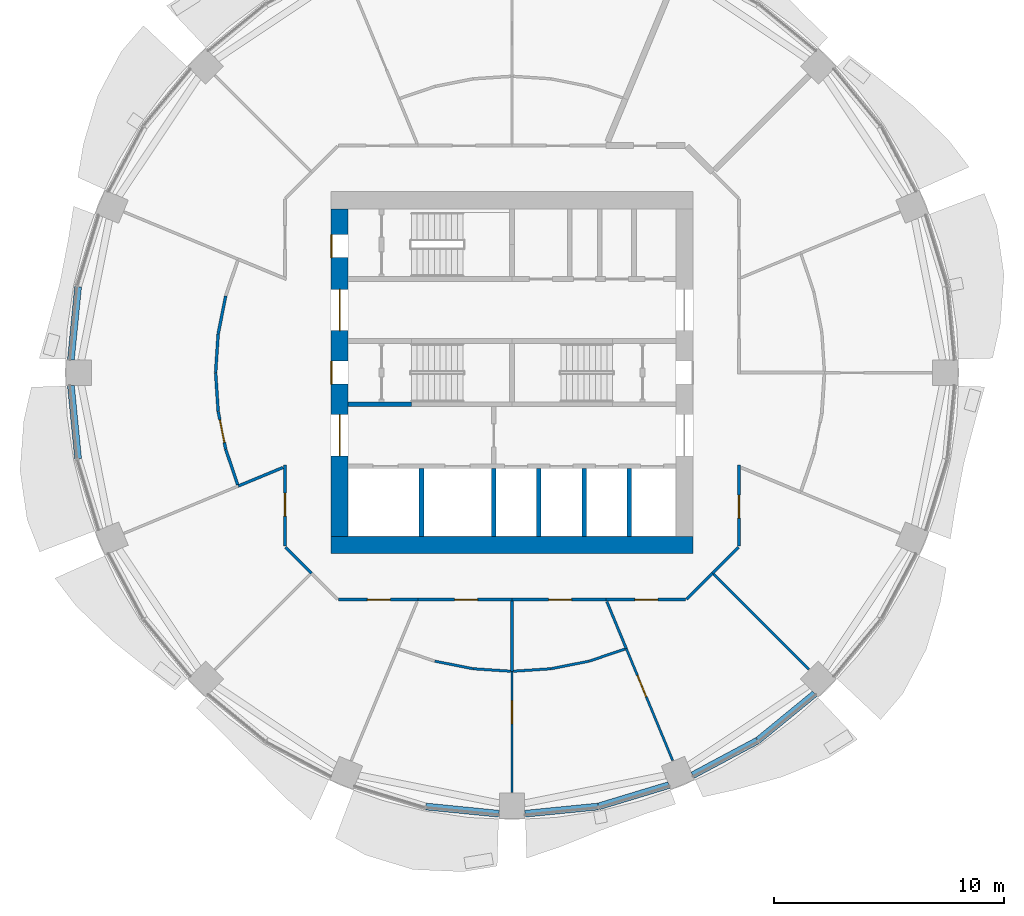
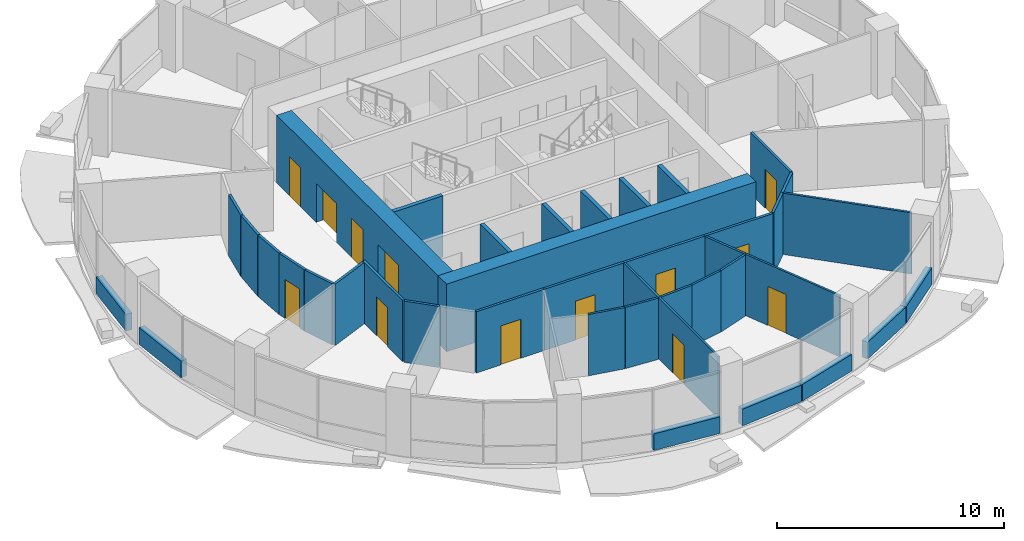
# One storey, part 8 of 15: 40 walls, 13 doors, 13 openings.
"""IFC4 building model written with IfcOpenShell, lengths in metres."""

import ifcopenshell
import ifcopenshell.guid

model = None  # the IFC model being written
_history = None  # IfcOwnerHistory: only IFC2X3 demands one
_inside = {}  # id of a spatial element -> (the spatial element, [elements in it])
_under = {}  # id of a project, library or spatial element -> (it, [spatial elements below it])
_declared = {}  # id of a project -> (the project, [libraries it declares])
_typed = {}  # id of a type object -> (the type object, [elements of that type])
_made_of = {}  # id of a material, layer set ... -> (it, [elements and type objects made of it])


def new_model(schema):
    """Start an empty IFC model of exactly this schema.

    Asked for "IFC4X3", IfcOpenShell would pick the latest addendum, in which some entities
    have other attributes; the version numbers below select the first issue.
    IFC2X3 requires an IfcOwnerHistory on every rooted entity: one is made here for all.
    """
    global model, _history
    if schema == "IFC4X3":
        model = ifcopenshell.file(schema_version=(4, 3, 0, 0))
    else:
        model = ifcopenshell.file(schema=schema)
    _inside.clear()
    _under.clear()
    _declared.clear()
    _typed.clear()
    _made_of.clear()
    _history = None
    if model.schema == "IFC2X3":
        org = make("IfcOrganization", Name="unknown")
        user = make(
            "IfcPersonAndOrganization",
            ThePerson=make("IfcPerson", FamilyName="unknown"),
            TheOrganization=org,
        )
        app = make(
            "IfcApplication",
            ApplicationDeveloper=org,
            Version="unknown",
            ApplicationFullName="unknown",
            ApplicationIdentifier="unknown",
        )
        _history = make(
            "IfcOwnerHistory",
            OwningUser=user,
            OwningApplication=app,
            ChangeAction="ADDED",
            CreationDate=0,
        )
    return model


def make(cls, **values):
    """One entity of the class cls with the attributes given. An attribute that is None is left unset."""
    return model.create_entity(
        cls, **{name: value for name, value in values.items() if value is not None}
    )


def rooted(cls, **values):
    """An entity with a GlobalId (a new one), such as an element, a storey or a relation."""
    return make(cls, GlobalId=ifcopenshell.guid.new(), OwnerHistory=_history, **values)


def si_unit(unit_type, name, prefix=None):
    """IfcSIUnit, for example si_unit("LENGTHUNIT", "METRE", prefix="MILLI")."""
    return make("IfcSIUnit", UnitType=unit_type, Prefix=prefix, Name=name)


def assignment(units):
    """IfcUnitAssignment: the units of a project."""
    return None if units is None else make("IfcUnitAssignment", Units=units)


def point(xyz):
    """IfcCartesianPoint."""
    return None if xyz is None else make("IfcCartesianPoint", Coordinates=xyz)


def direction(xyz):
    """IfcDirection."""
    return None if xyz is None else make("IfcDirection", DirectionRatios=xyz)


def frame(location, z_axis=None, x_axis=None):
    """IfcAxis2Placement3D, a coordinate frame: its origin and axes. An axis left out is left unset."""
    return make(
        "IfcAxis2Placement3D",
        Location=point(location),
        Axis=direction(z_axis),
        RefDirection=direction(x_axis),
    )


def frame_2d(location, x_axis=None):
    """IfcAxis2Placement2D, a coordinate frame in the plane: its origin and x axis."""
    return make(
        "IfcAxis2Placement2D", Location=point(location), RefDirection=direction(x_axis)
    )


def origin():
    """The frame at (0, 0, 0) with its axes left unset."""
    return frame((0.0, 0.0, 0.0))


def place(relative_to, where):
    """IfcLocalPlacement: puts the frame where relative to a parent placement (None: the world)."""
    return make(
        "IfcLocalPlacement", PlacementRelTo=relative_to, RelativePlacement=where
    )


def context(
    kind, dimensions, precision=None, world=None, true_north=None, identifier=None
):
    """IfcGeometricRepresentationContext, for example the 3D "Model" context."""
    return make(
        "IfcGeometricRepresentationContext",
        ContextIdentifier=identifier,
        ContextType=kind,
        CoordinateSpaceDimension=dimensions,
        Precision=precision,
        WorldCoordinateSystem=world,
        TrueNorth=true_north,
    )


def subcontext(parent, identifier, kind, view, scale=None):
    """IfcGeometricRepresentationSubContext, for example "Body" below "Model"."""
    return make(
        "IfcGeometricRepresentationSubContext",
        ContextIdentifier=identifier,
        ContextType=kind,
        ParentContext=parent,
        TargetScale=scale,
        TargetView=view,
    )


def project(units=None, contexts=None):
    """IfcProject with its units and contexts."""
    return rooted(
        "IfcProject",
        Name="project",
        RepresentationContexts=contexts,
        UnitsInContext=assignment(units),
    )


def spatial(cls, under=None, at=None, **own):
    """A site, building, storey or space (cls), placed at a placement, below another one or the project."""
    s = rooted(cls, ObjectPlacement=at, **own)
    if under is not None:
        _under.setdefault(under.id(), (under, []))[1].append(s)
    return s


def profile(cls, at=None, kind="AREA", **sizes):
    """A parametric profile (cls). Its sizes go by their IFC names, for example OverallWidth=200.0."""
    return make(cls, ProfileType=kind, Position=at, **sizes)


def rectangle(**sizes):
    """IfcRectangleProfileDef."""
    return profile("IfcRectangleProfileDef", **sizes)


def extrude(swept, where, along, depth):
    """IfcExtrudedAreaSolid: the profile swept, set in the frame where, extruded along a direction by depth."""
    return make(
        "IfcExtrudedAreaSolid",
        SweptArea=swept,
        Position=where,
        ExtrudedDirection=direction(along),
        Depth=depth,
    )


def shape(context_of_items, identifier, shape_type, items):
    """IfcShapeRepresentation: the items that make up one representation, for example the "Body"."""
    return make(
        "IfcShapeRepresentation",
        ContextOfItems=context_of_items,
        RepresentationIdentifier=identifier,
        RepresentationType=shape_type,
        Items=items,
    )


def material(Name=None, Category=None):
    """IfcMaterial."""
    return make("IfcMaterial", Name=Name, Category=Category)


def layer(
    of_material, thickness, ventilated=None, Name=None, Category=None, Priority=None
):
    """IfcMaterialLayer: one layer of a wall or slab, of a material (None: an air gap)."""
    return make(
        "IfcMaterialLayer",
        Material=of_material,
        LayerThickness=thickness,
        IsVentilated=ventilated,
        Name=Name,
        Category=Category,
        Priority=Priority,
    )


def layer_set(layers, Name=None):
    """IfcMaterialLayerSet."""
    return make("IfcMaterialLayerSet", MaterialLayers=layers, LayerSetName=Name)


def made_of(thing, what):
    """Note that an element or type object is made of a material, layer set ...; save() writes the relation."""
    if what is not None:
        _made_of.setdefault(what.id(), (what, []))[1].append(thing)
    return thing


def type_object(cls, material=None, **own):
    """A type object (cls), such as IfcWallType, which elements share."""
    return made_of(rooted(cls, **own), material)


def element(
    cls,
    number,
    at=None,
    inside=None,
    cuts=None,
    type_object=None,
    material=None,
    context=None,
    identifier="Body",
    shape_type=None,
    held_by="IfcProductDefinitionShape",
    body=None,
    shapes=None,
    **own,
):
    """One element of the class cls, such as IfcWall. Its Tag is "e" and its number.

    at: its placement. inside: the storey or other place that contains it. cuts: it is an
    opening in that element (IfcRelVoidsElement). A single representation is given by context,
    identifier, shape_type and body (its items); several are given by shapes. held_by: the class
    of the entity that holds the representations. save() writes the other relations.
    """
    e = rooted(cls, Tag="e%d" % number, ObjectPlacement=at, **own)
    if body is not None:
        shapes = [shape(context, identifier, shape_type, body)]
    if shapes is not None:
        e.Representation = make(held_by, Representations=shapes)
    if inside is not None:
        _inside.setdefault(inside.id(), (inside, []))[1].append(e)
    if cuts is not None:
        rooted(
            "IfcRelVoidsElement", RelatingBuildingElement=cuts, RelatedOpeningElement=e
        )
    if type_object is not None:
        _typed.setdefault(type_object.id(), (type_object, []))[1].append(e)
    return made_of(e, material)


def fill(opening, filler):
    """IfcRelFillsElement: the door or window that sits in an opening."""
    return rooted(
        "IfcRelFillsElement",
        RelatingOpeningElement=opening,
        RelatedBuildingElement=filler,
    )


def aggregate(whole, parts):
    """IfcRelAggregates: a whole, such as a stair, and the parts it consists of."""
    return rooted("IfcRelAggregates", RelatingObject=whole, RelatedObjects=parts)


def save(model, path):
    """Write the relations noted so far, then the file.

    IfcRelAggregates (storeys below a building ...), IfcRelContainedInSpatialStructure (elements
    in a storey), IfcRelDefinesByType, IfcRelAssociatesMaterial and IfcRelDeclares: one each for
    every whole, place, type object, material and project.
    """
    for whole, parts in _under.values():
        aggregate(whole, parts)
    for where, things in _inside.values():
        rooted(
            "IfcRelContainedInSpatialStructure",
            RelatedElements=things,
            RelatingStructure=where,
        )
    for kind, things in _typed.values():
        rooted("IfcRelDefinesByType", RelatedObjects=things, RelatingType=kind)
    for what, things in _made_of.values():
        rooted("IfcRelAssociatesMaterial", RelatedObjects=things, RelatingMaterial=what)
    for by, libraries in _declared.values():
        rooted("IfcRelDeclares", RelatingContext=by, RelatedDefinitions=libraries)
    model.write(path)


model = new_model("IFC4")

# Units and contexts
model_context = context("Model", 3, precision=1e-05, world=origin(), true_north=direction((0.0, 1.0)))
body_context = subcontext(model_context, "Body", "Model", "MODEL_VIEW")
ifc_project = project(units=[si_unit("LENGTHUNIT", "METRE"), si_unit("AREAUNIT", "SQUARE_METRE"), si_unit("VOLUMEUNIT", "CUBIC_METRE"), si_unit("PLANEANGLEUNIT", "RADIAN"), si_unit("MASSUNIT", "GRAM", prefix="KILO")], contexts=[model_context])

# Site, building, storey
site_placement = place(None, origin())
site = spatial("IfcSite", under=ifc_project, at=site_placement, CompositionType="ELEMENT")
building_placement = place(site_placement, origin())
building = spatial("IfcBuilding", under=site, at=building_placement, Name="Polderwave Tower", CompositionType="ELEMENT")
storey_placement = place(building_placement, frame((0.0, 0.0, 80.050048828125)))
storey = spatial("IfcBuildingStorey", under=building, at=storey_placement, Name="L20", CompositionType="ELEMENT", Elevation=80.050048828125)

# Wall
ifc_material_1 = material(Name="Concrete C70/85", Category="concrete")
ifc_layer_1 = layer(ifc_material_1, 0.75)
ifc_layer_set_1 = layer_set([ifc_layer_1], Name="CORE WALL 750 C70/85")
wall_type_1 = type_object("IfcWallType", Name="CORE WALL 750 C70/85", PredefinedType="SHEAR", material=ifc_layer_set_1)
wall_1_placement = place(storey_placement, frame((-7.8740234375, -7.4990234375, 0.0), z_axis=(0.0, 0.0, 1.0), x_axis=(1.0, 0.0, 0.0)))
element("IfcWall", 1, at=wall_1_placement, inside=storey, type_object=wall_type_1, Name="ST-CORE-L20-S", PredefinedType="SHEAR", context=body_context, shape_type="SweptSolid", body=[
    extrude(rectangle(XDim=15.748046875, YDim=0.75, at=frame_2d((7.8740234375, 0.0))), origin(), (0.0, 0.0, 1.0), 3.64990234375),
])

# Wall, openings, doors
wall_2_placement = place(storey_placement, frame((-7.4990234375, -7.1240234375, 0.0), z_axis=(0.0, 0.0, 1.0), x_axis=(0.0, 1.0, 0.0)))
wall_2 = element("IfcWall", 2, at=wall_2_placement, inside=storey, type_object=wall_type_1, Name="ST-CORE-L20-W", PredefinedType="SHEAR", context=body_context, shape_type="SweptSolid", body=[
    extrude(rectangle(XDim=14.248046875, YDim=0.75, at=frame_2d((7.1240234375, 0.0))), origin(), (0.0, 0.0, 1.0), 3.64990234375),
])
opening_1_placement = place(wall_2_placement, frame((6.6240234375, 0.0, 0.0)))
opening_1 = element("IfcOpeningElement", 3, at=opening_1_placement, cuts=wall_2, Name="Opening L20-D18", PredefinedType="OPENING", context=body_context, shape_type="SweptSolid", body=[
    extrude(rectangle(XDim=1.0, YDim=2.10009765625, at=frame_2d((0.5, 1.050048828125))), frame((0.0, 0.385009765625, 0.0), z_axis=(0.0, -1.0, 0.0), x_axis=(1.0, 0.0, 0.0)), (0.0, 0.0, 1.0), 0.77001953125),
])
opening_2_placement = place(wall_2_placement, frame((3.49951171875, 0.0, 0.0)))
opening_2 = element("IfcOpeningElement", 4, at=opening_2_placement, cuts=wall_2, Name="Opening L20-D19", PredefinedType="OPENING", context=body_context, shape_type="SweptSolid", body=[
    extrude(rectangle(XDim=1.800048828125, YDim=2.10009765625, at=frame_2d((0.89990234375, 1.050048828125))), frame((0.0, 0.385009765625, 0.0), z_axis=(0.0, -1.0, 0.0), x_axis=(1.0, 0.0, 0.0)), (0.0, 0.0, 1.0), 0.77001953125),
])
opening_3_placement = place(wall_2_placement, frame((8.948486328125, 0.0, 0.0)))
opening_3 = element("IfcOpeningElement", 5, at=opening_3_placement, cuts=wall_2, Name="Opening L20-D20", PredefinedType="OPENING", context=body_context, shape_type="SweptSolid", body=[
    extrude(rectangle(XDim=1.800048828125, YDim=2.10009765625, at=frame_2d((0.89990234375, 1.050048828125))), frame((0.0, 0.385009765625, 0.0), z_axis=(0.0, -1.0, 0.0), x_axis=(1.0, 0.0, 0.0)), (0.0, 0.0, 1.0), 0.77001953125),
])
opening_4_placement = place(wall_2_placement, frame((12.1240234375, 0.0, 0.0)))
opening_4 = element("IfcOpeningElement", 6, at=opening_4_placement, cuts=wall_2, Name="Opening L20-D21", PredefinedType="OPENING", context=body_context, shape_type="SweptSolid", body=[
    extrude(rectangle(XDim=1.0, YDim=2.10009765625, at=frame_2d((0.5, 1.050048828125))), frame((0.0, 0.385009765625, 0.0), z_axis=(0.0, -1.0, 0.0), x_axis=(1.0, 0.0, 0.0)), (0.0, 0.0, 1.0), 0.77001953125),
])
ifc_material_2 = material(Name="Steel fire door", Category="steel")
door_type_1 = type_object("IfcDoorType", Name="Lobby entry door pair 1800", OperationType="DOUBLE_DOOR_SINGLE_SWING", PredefinedType="DOOR", material=ifc_material_2)
door_1_placement = place(opening_2_placement, origin())
door_1 = element("IfcDoor", 7, at=door_1_placement, inside=storey, type_object=door_type_1, Name="Fire-fighting lobby entry door", OperationType="DOUBLE_DOOR_SINGLE_SWING", OverallHeight=2.10009765625, OverallWidth=1.800048828125, PredefinedType="DOOR", context=body_context, shape_type="SweptSolid", body=[
    extrude(rectangle(XDim=1.800048828125, YDim=2.10009765625, at=frame_2d((0.89990234375, 1.050048828125))), frame((0.0, 0.02490234375, 0.0), z_axis=(0.0, -1.0, 0.0), x_axis=(1.0, 0.0, 0.0)), (0.0, 0.0, 1.0), 0.050048828125),
])
fill(opening_2, door_1)
door_2_placement = place(opening_3_placement, origin())
door_2 = element("IfcDoor", 8, at=door_2_placement, inside=storey, type_object=door_type_1, Name="North lobby entry door", OperationType="DOUBLE_DOOR_SINGLE_SWING", OverallHeight=2.10009765625, OverallWidth=1.800048828125, PredefinedType="DOOR", context=body_context, shape_type="SweptSolid", body=[
    extrude(rectangle(XDim=1.800048828125, YDim=2.10009765625, at=frame_2d((0.89990234375, 1.050048828125))), frame((0.0, 0.02490234375, 0.0), z_axis=(0.0, -1.0, 0.0), x_axis=(1.0, 0.0, 0.0)), (0.0, 0.0, 1.0), 0.050048828125),
])
fill(opening_3, door_2)
door_type_2 = type_object("IfcDoorType", Name="Stair door 1000", OperationType="NOTDEFINED", PredefinedType="DOOR", material=ifc_material_2)
door_3_placement = place(opening_1_placement, origin())
door_3 = element("IfcDoor", 9, at=door_3_placement, inside=storey, type_object=door_type_2, Name="Stair A entry door", OperationType="SINGLE_SWING_RIGHT", OverallHeight=2.10009765625, OverallWidth=1.0, PredefinedType="DOOR", context=body_context, shape_type="SweptSolid", body=[
    extrude(rectangle(XDim=1.0, YDim=2.10009765625, at=frame_2d((0.5, 1.050048828125))), frame((0.0, 0.375, 0.0), z_axis=(0.0, -1.0, 0.0), x_axis=(1.0, 0.0, 0.0)), (0.0, 0.0, 1.0), 0.050048828125),
])
fill(opening_1, door_3)
door_4_placement = place(opening_4_placement, origin())
door_4 = element("IfcDoor", 10, at=door_4_placement, inside=storey, type_object=door_type_2, Name="Stair C entry door", OperationType="SINGLE_SWING_RIGHT", OverallHeight=2.10009765625, OverallWidth=1.0, PredefinedType="DOOR", context=body_context, shape_type="SweptSolid", body=[
    extrude(rectangle(XDim=1.0, YDim=2.10009765625, at=frame_2d((0.5, 1.050048828125))), frame((0.0, 0.375, 0.0), z_axis=(0.0, -1.0, 0.0), x_axis=(1.0, 0.0, 0.0)), (0.0, 0.0, 1.0), 0.050048828125),
])
fill(opening_4, door_4)

# Walls
ifc_material_3 = material(Name="Concrete C50/60 (board-marked)", Category="concrete")
ifc_layer_2 = layer(ifc_material_3, 0.300048828125)
ifc_layer_set_2 = layer_set([ifc_layer_2], Name="Concrete spandrel upstand C50/60")
wall_type_2 = type_object("IfcWallType", Name="Concrete spandrel upstand C50/60", PredefinedType="SOLIDWALL", material=ifc_layer_set_2)
for number, where, z_axis, x_axis, name in (
    (11, (-18.87158203125, 3.738037109375, 0.0), (0.0, 0.0, 1.0), (-0.098131861065, -0.995173420989, 0.0), "Spandrel L20 8b"),
    (12, (-19.1845703125, -0.56396484375, 0.0), (0.0, 0.0, 1.0), (0.098131861065, -0.995173420989, 0.0), "Spandrel L20 9a"),
    (13, (-3.738037109375, -18.87158203125, 0.0), (0.0, 0.0, 1.0), (0.995173420989, -0.098131861065, 0.0), "Spandrel L20 12b"),
    (14, (0.56396484375, -19.1845703125, 0.0), (0.0, 0.0, 1.0), (0.995173420989, 0.098131861065, 0.0), "Spandrel L20 13a"),
):
    element("IfcWall", number, at=place(storey_placement, frame(where, z_axis=z_axis, x_axis=x_axis)), inside=storey, type_object=wall_type_2, Name=name, PredefinedType="SOLIDWALL", context=body_context, shape_type="SweptSolid", body=[
        extrude(rectangle(XDim=3.189453125, YDim=0.300048828125, at=frame_2d((1.5947265625, 0.0))), origin(), (0.0, 0.0, 1.0), 0.89990234375),
    ])
wall_3_placement = place(storey_placement, frame((3.767333984375, -18.865478515625, 0.0), z_axis=(0.0, 0.0, 1.0), x_axis=(0.956954228099, 0.290238876314, 0.0)))
element("IfcWall", 15, at=wall_3_placement, inside=storey, type_object=wall_type_2, Name="Spandrel L20 13b", PredefinedType="SOLIDWALL", context=body_context, shape_type="SweptSolid", body=[
    extrude(rectangle(XDim=3.190673828125, YDim=0.300048828125, at=frame_2d((1.59521484375, 0.0))), origin(), (0.0, 0.0, 1.0), 0.89990234375),
])
for number, where, z_axis, x_axis, name in (
    (16, (7.8623046875, -17.5078125, 0.0), (0.0, 0.0, 1.0), (0.8819437364, 0.471354692163, 0.0), "Spandrel L20 14a"),
    (17, (10.70068359375, -15.987548828125, 0.0), (0.0, 0.0, 1.0), (0.773240773387, 0.63411253447, 0.0), "Spandrel L20 14b"),
):
    element("IfcWall", number, at=place(storey_placement, frame(where, z_axis=z_axis, x_axis=x_axis)), inside=storey, type_object=wall_type_2, Name=name, PredefinedType="SOLIDWALL", context=body_context, shape_type="SweptSolid", body=[
        extrude(rectangle(XDim=3.190185546875, YDim=0.300048828125, at=frame_2d((1.59521484375, 0.0))), origin(), (0.0, 0.0, 1.0), 0.89990234375),
    ])
ifc_material_4 = material(Name="Concrete C50/60", Category="concrete")
ifc_layer_3 = layer(ifc_material_4, 0.199951171875)
ifc_layer_set_3 = layer_set([ifc_layer_3], Name="Core web wall 200")
wall_type_3 = type_object("IfcWallType", Name="Core web wall 200", PredefinedType="SHEAR", material=ifc_layer_set_3)
wall_4_placement = place(storey_placement, frame((-7.1240234375, -1.375, 0.0), z_axis=(0.0, 0.0, 1.0), x_axis=(1.0, 0.0, 0.0)))
element("IfcWall", 18, at=wall_4_placement, inside=storey, type_object=wall_type_3, Name="L20 south stair wall 1", PredefinedType="SHEAR", context=body_context, shape_type="SweptSolid", body=[
    extrude(rectangle(XDim=2.75, YDim=0.199951171875, at=frame_2d((1.375, 0.0))), origin(), (0.0, 0.0, 1.0), 3.300048828125),
])
ifc_material_5 = material(Name="Fire-resisting board on steel studs", Category="steel")
ifc_layer_4 = layer(ifc_material_5, 0.125)
ifc_layer_set_4 = layer_set([ifc_layer_4], Name="Corridor wall 125 mm EI 60")
wall_type_4 = type_object("IfcWallType", Name="Corridor wall 125 mm EI 60", PredefinedType="PARTITIONING", material=ifc_layer_set_4)
wall_5_placement = place(storey_placement, frame((9.855712890625, -7.58935546875, 0.0), z_axis=(0.0, 0.0, 1.0), x_axis=(-0.70718294931, -0.707030604857, 0.0)))
element("IfcWall", 19, at=wall_5_placement, inside=storey, type_object=wall_type_4, Name="IN-L20-W004", PredefinedType="PARTITIONING", context=body_context, shape_type="SweptSolid", body=[
    extrude(rectangle(XDim=1.6025390625, YDim=0.125, at=frame_2d((0.80126953125, 0.0))), origin(), (0.0, 0.0, 1.0), 3.300048828125),
])

# Wall, opening, door
wall_6_placement = place(storey_placement, frame((9.8740234375, -4.02734375, 0.0), z_axis=(0.0, 0.0, 1.0), x_axis=(0.0, -1.0, 0.0)))
wall_6 = element("IfcWall", 20, at=wall_6_placement, inside=storey, type_object=wall_type_4, Name="IN-L20-W005", PredefinedType="PARTITIONING", context=body_context, shape_type="SweptSolid", body=[
    extrude(rectangle(XDim=3.517822265625, YDim=0.125, at=frame_2d((1.7587890625, 0.0))), origin(), (0.0, 0.0, 1.0), 3.300048828125),
])
opening_5_placement = place(wall_6_placement, frame((1.300048828125, 0.0, 0.0)))
opening_5 = element("IfcOpeningElement", 21, at=opening_5_placement, cuts=wall_6, Name="Opening L20-D52", PredefinedType="OPENING", context=body_context, shape_type="SweptSolid", body=[
    extrude(rectangle(XDim=1.0, YDim=2.10009765625, at=frame_2d((0.5, 1.050048828125))), frame((0.0, 0.072509765625, 0.0), z_axis=(0.0, -1.0, 0.0), x_axis=(1.0, 0.0, 0.0)), (0.0, 0.0, 1.0), 0.14501953125),
])
ifc_material_6 = material(Name="Timber fire door leaf", Category="wood")
door_type_3 = type_object("IfcDoorType", Name="Fire door FD30S 1000 x 2100", OperationType="NOTDEFINED", PredefinedType="DOOR", material=ifc_material_6)
door_5_placement = place(opening_5_placement, origin())
door_5 = element("IfcDoor", 22, at=door_5_placement, inside=storey, type_object=door_type_3, Name="Door L20-D52", OperationType="SINGLE_SWING_RIGHT", OverallHeight=2.10009765625, OverallWidth=1.0, PredefinedType="DOOR", context=body_context, shape_type="SweptSolid", body=[
    extrude(rectangle(XDim=1.0, YDim=2.10009765625, at=frame_2d((0.5, 1.050048828125))), frame((0.0, 0.02490234375, 0.0), z_axis=(0.0, -1.0, 0.0), x_axis=(1.0, 0.0, 0.0)), (0.0, 0.0, 1.0), 0.050048828125),
])
fill(opening_5, door_5)

wall_7_placement = place(storey_placement, frame((-9.8740234375, -7.545166015625, 0.0), z_axis=(0.0, 0.0, 1.0), x_axis=(0.0, 1.0, 0.0)))
wall_7 = element("IfcWall", 23, at=wall_7_placement, inside=storey, type_object=wall_type_4, Name="IN-L20-W014", PredefinedType="PARTITIONING", context=body_context, shape_type="SweptSolid", body=[
    extrude(rectangle(XDim=3.517822265625, YDim=0.125, at=frame_2d((1.7587890625, 0.0))), origin(), (0.0, 0.0, 1.0), 3.300048828125),
])
opening_6_placement = place(wall_7_placement, frame((1.300048828125, 0.0, 0.0)))
opening_6 = element("IfcOpeningElement", 24, at=opening_6_placement, cuts=wall_7, Name="Opening L20-D58", PredefinedType="OPENING", context=body_context, shape_type="SweptSolid", body=[
    extrude(rectangle(XDim=1.0, YDim=2.10009765625, at=frame_2d((0.5, 1.050048828125))), frame((0.0, 0.072509765625, 0.0), z_axis=(0.0, -1.0, 0.0), x_axis=(1.0, 0.0, 0.0)), (0.0, 0.0, 1.0), 0.14501953125),
])
door_6_placement = place(opening_6_placement, origin())
door_6 = element("IfcDoor", 25, at=door_6_placement, inside=storey, type_object=door_type_3, Name="Door L20-D58", OperationType="SINGLE_SWING_RIGHT", OverallHeight=2.10009765625, OverallWidth=1.0, PredefinedType="DOOR", context=body_context, shape_type="SweptSolid", body=[
    extrude(rectangle(XDim=1.0, YDim=2.10009765625, at=frame_2d((0.5, 1.050048828125))), frame((0.0, 0.02490234375, 0.0), z_axis=(0.0, -1.0, 0.0), x_axis=(1.0, 0.0, 0.0)), (0.0, 0.0, 1.0), 0.050048828125),
])
fill(opening_6, door_6)

# Wall
wall_8_placement = place(storey_placement, frame((-8.722412109375, -8.722412109375, 0.0), z_axis=(0.0, 0.0, 1.0), x_axis=(-0.70718294931, 0.707030604857, 0.0)))
element("IfcWall", 26, at=wall_8_placement, inside=storey, type_object=wall_type_4, Name="IN-L20-W015", PredefinedType="PARTITIONING", context=body_context, shape_type="SweptSolid", body=[
    extrude(rectangle(XDim=1.6025390625, YDim=0.125, at=frame_2d((0.80126953125, 0.0))), origin(), (0.0, 0.0, 1.0), 3.300048828125),
])

# Wall, opening, door
wall_9_placement = place(storey_placement, frame((-4.08984375, -9.8740234375, 0.0), z_axis=(0.0, 0.0, 1.0), x_axis=(-1.0, 0.0, 0.0)))
wall_9 = element("IfcWall", 27, at=wall_9_placement, inside=storey, type_object=wall_type_4, Name="IN-L20-W017", PredefinedType="PARTITIONING", context=body_context, shape_type="SweptSolid", body=[
    extrude(rectangle(XDim=3.455322265625, YDim=0.125, at=frame_2d((1.7275390625, 0.0))), origin(), (0.0, 0.0, 1.0), 3.300048828125),
])
opening_7_placement = place(wall_9_placement, frame((1.199951171875, 0.0, 0.0)))
opening_7 = element("IfcOpeningElement", 28, at=opening_7_placement, cuts=wall_9, Name="Opening L20-D59", PredefinedType="OPENING", context=body_context, shape_type="SweptSolid", body=[
    extrude(rectangle(XDim=1.0, YDim=2.10009765625, at=frame_2d((0.5, 1.050048828125))), frame((0.0, 0.072509765625, 0.0), z_axis=(0.0, -1.0, 0.0), x_axis=(1.0, 0.0, 0.0)), (0.0, 0.0, 1.0), 0.14501953125),
])
door_7_placement = place(opening_7_placement, origin())
door_7 = element("IfcDoor", 29, at=door_7_placement, inside=storey, type_object=door_type_3, Name="Door L20-D59", OperationType="SINGLE_SWING_LEFT", OverallHeight=2.10009765625, OverallWidth=1.0, PredefinedType="DOOR", context=body_context, shape_type="SweptSolid", body=[
    extrude(rectangle(XDim=1.0, YDim=2.10009765625, at=frame_2d((0.5, 1.050048828125))), frame((0.0, 0.02490234375, 0.0), z_axis=(0.0, -1.0, 0.0), x_axis=(1.0, 0.0, 0.0)), (0.0, 0.0, 1.0), 0.050048828125),
])
fill(opening_7, door_7)

wall_10_placement = place(storey_placement, frame((0.0, -9.8740234375, 0.0), z_axis=(0.0, 0.0, 1.0), x_axis=(-1.0, 0.0, 0.0)))
wall_10 = element("IfcWall", 30, at=wall_10_placement, inside=storey, type_object=wall_type_4, Name="IN-L20-W018", PredefinedType="PARTITIONING", context=body_context, shape_type="SweptSolid", body=[
    extrude(rectangle(XDim=4.08984375, YDim=0.125, at=frame_2d((2.044921875, 0.0))), origin(), (0.0, 0.0, 1.0), 3.300048828125),
])
opening_8_placement = place(wall_10_placement, frame((1.5, 0.0, 0.0)))
opening_8 = element("IfcOpeningElement", 31, at=opening_8_placement, cuts=wall_10, Name="Opening L20-D60", PredefinedType="OPENING", context=body_context, shape_type="SweptSolid", body=[
    extrude(rectangle(XDim=1.0, YDim=2.10009765625, at=frame_2d((0.5, 1.050048828125))), frame((0.0, 0.072509765625, 0.0), z_axis=(0.0, -1.0, 0.0), x_axis=(1.0, 0.0, 0.0)), (0.0, 0.0, 1.0), 0.14501953125),
])
door_8_placement = place(opening_8_placement, origin())
door_8 = element("IfcDoor", 32, at=door_8_placement, inside=storey, type_object=door_type_3, Name="Door L20-D60", OperationType="SINGLE_SWING_LEFT", OverallHeight=2.10009765625, OverallWidth=1.0, PredefinedType="DOOR", context=body_context, shape_type="SweptSolid", body=[
    extrude(rectangle(XDim=1.0, YDim=2.10009765625, at=frame_2d((0.5, 1.050048828125))), frame((0.0, 0.02490234375, 0.0), z_axis=(0.0, -1.0, 0.0), x_axis=(1.0, 0.0, 0.0)), (0.0, 0.0, 1.0), 0.050048828125),
])
fill(opening_8, door_8)

wall_11_placement = place(storey_placement, frame((4.08984375, -9.8740234375, 0.0), z_axis=(0.0, 0.0, 1.0), x_axis=(-1.0, 0.0, 0.0)))
wall_11 = element("IfcWall", 33, at=wall_11_placement, inside=storey, type_object=wall_type_4, Name="IN-L20-W019", PredefinedType="PARTITIONING", context=body_context, shape_type="SweptSolid", body=[
    extrude(rectangle(XDim=4.08984375, YDim=0.125, at=frame_2d((2.044921875, 0.0))), origin(), (0.0, 0.0, 1.0), 3.300048828125),
])
opening_9_placement = place(wall_11_placement, frame((1.5, 0.0, 0.0)))
opening_9 = element("IfcOpeningElement", 34, at=opening_9_placement, cuts=wall_11, Name="Opening L20-D61", PredefinedType="OPENING", context=body_context, shape_type="SweptSolid", body=[
    extrude(rectangle(XDim=1.0, YDim=2.10009765625, at=frame_2d((0.5, 1.050048828125))), frame((0.0, 0.072509765625, 0.0), z_axis=(0.0, -1.0, 0.0), x_axis=(1.0, 0.0, 0.0)), (0.0, 0.0, 1.0), 0.14501953125),
])
door_9_placement = place(opening_9_placement, origin())
door_9 = element("IfcDoor", 35, at=door_9_placement, inside=storey, type_object=door_type_3, Name="Door L20-D61", OperationType="SINGLE_SWING_LEFT", OverallHeight=2.10009765625, OverallWidth=1.0, PredefinedType="DOOR", context=body_context, shape_type="SweptSolid", body=[
    extrude(rectangle(XDim=1.0, YDim=2.10009765625, at=frame_2d((0.5, 1.050048828125))), frame((0.0, 0.02490234375, 0.0), z_axis=(0.0, -1.0, 0.0), x_axis=(1.0, 0.0, 0.0)), (0.0, 0.0, 1.0), 0.050048828125),
])
fill(opening_9, door_9)

wall_12_placement = place(storey_placement, frame((7.545166015625, -9.8740234375, 0.0), z_axis=(0.0, 0.0, 1.0), x_axis=(-1.0, 0.0, 0.0)))
wall_12 = element("IfcWall", 36, at=wall_12_placement, inside=storey, type_object=wall_type_4, Name="IN-L20-W020", PredefinedType="PARTITIONING", context=body_context, shape_type="SweptSolid", body=[
    extrude(rectangle(XDim=3.455322265625, YDim=0.125, at=frame_2d((1.7275390625, 0.0))), origin(), (0.0, 0.0, 1.0), 3.300048828125),
])
opening_10_placement = place(wall_12_placement, frame((1.199951171875, 0.0, 0.0)))
opening_10 = element("IfcOpeningElement", 37, at=opening_10_placement, cuts=wall_12, Name="Opening L20-D62", PredefinedType="OPENING", context=body_context, shape_type="SweptSolid", body=[
    extrude(rectangle(XDim=1.0, YDim=2.10009765625, at=frame_2d((0.5, 1.050048828125))), frame((0.0, 0.072509765625, 0.0), z_axis=(0.0, -1.0, 0.0), x_axis=(1.0, 0.0, 0.0)), (0.0, 0.0, 1.0), 0.14501953125),
])
door_10_placement = place(opening_10_placement, origin())
door_10 = element("IfcDoor", 38, at=door_10_placement, inside=storey, type_object=door_type_3, Name="Door L20-D62", OperationType="SINGLE_SWING_LEFT", OverallHeight=2.10009765625, OverallWidth=1.0, PredefinedType="DOOR", context=body_context, shape_type="SweptSolid", body=[
    extrude(rectangle(XDim=1.0, YDim=2.10009765625, at=frame_2d((0.5, 1.050048828125))), frame((0.0, 0.02490234375, 0.0), z_axis=(0.0, -1.0, 0.0), x_axis=(1.0, 0.0, 0.0)), (0.0, 0.0, 1.0), 0.050048828125),
])
fill(opening_10, door_10)

# Walls
wall_13_placement = place(storey_placement, frame((8.722412109375, -8.722412109375, 0.0), z_axis=(0.0, 0.0, 1.0), x_axis=(-0.707030604857, -0.70718294931, 0.0)))
element("IfcWall", 39, at=wall_13_placement, inside=storey, type_object=wall_type_4, Name="IN-L20-W021", PredefinedType="PARTITIONING", context=body_context, shape_type="SweptSolid", body=[
    extrude(rectangle(XDim=1.6025390625, YDim=0.125, at=frame_2d((0.80126953125, 0.0))), origin(), (0.0, 0.0, 1.0), 3.300048828125),
])
for number, where, z_axis, x_axis, name in (
    (40, (-12.8896484375, 0.004150390625, 0.0), (0.0, 0.0, 1.0), (0.065331113258, 0.997863640805, 0.0), "IN-L20-W045"),
    (41, (-12.780029296875, -1.678466796875, 0.0), (0.0, 0.0, 1.0), (-0.065331113258, 0.997863640805, 0.0), "IN-L20-W046"),
    (42, (-12.77880859375, 1.6865234375, 0.0), (0.0, 0.0, 1.0), (0.194968796467, 0.980809445511, 0.0), "IN-L20-W047"),
):
    element("IfcWall", number, at=place(storey_placement, frame(where, z_axis=z_axis, x_axis=x_axis)), inside=storey, type_object=wall_type_4, Name=name, PredefinedType="PARTITIONING", context=body_context, shape_type="SweptSolid", body=[
        extrude(rectangle(XDim=1.677978515625, YDim=0.125, at=frame_2d((0.8388671875, 0.0))), origin(), (0.0, 0.0, 1.0), 3.300048828125),
    ])

# Wall, opening, door
wall_14_placement = place(storey_placement, frame((-12.45166015625, -3.332275390625, 0.0), z_axis=(0.0, 0.0, 1.0), x_axis=(-0.194968796467, 0.980809445511, 0.0)))
wall_14 = element("IfcWall", 43, at=wall_14_placement, inside=storey, type_object=wall_type_4, Name="IN-L20-W048", PredefinedType="PARTITIONING", context=body_context, shape_type="SweptSolid", body=[
    extrude(rectangle(XDim=1.677978515625, YDim=0.125, at=frame_2d((0.8388671875, 0.0))), origin(), (0.0, 0.0, 1.0), 3.300048828125),
])
opening_11_placement = place(wall_14_placement, frame((0.300048828125, 0.0, 0.0)))
opening_11 = element("IfcOpeningElement", 44, at=opening_11_placement, cuts=wall_14, Name="Opening L20-D66", PredefinedType="OPENING", context=body_context, shape_type="SweptSolid", body=[
    extrude(rectangle(XDim=1.0, YDim=2.10009765625, at=frame_2d((0.5, 1.050048828125))), frame((0.0, 0.072509765625, 0.0), z_axis=(0.0, -1.0, 0.0), x_axis=(1.0, 0.0, 0.0)), (0.0, 0.0, 1.0), 0.14501953125),
])
door_11_placement = place(opening_11_placement, origin())
door_11 = element("IfcDoor", 45, at=door_11_placement, inside=storey, type_object=door_type_3, Name="Door L20-D66", OperationType="SINGLE_SWING_LEFT", OverallHeight=2.10009765625, OverallWidth=1.0, PredefinedType="DOOR", context=body_context, shape_type="SweptSolid", body=[
    extrude(rectangle(XDim=1.0, YDim=2.10009765625, at=frame_2d((0.5, 1.050048828125))), frame((0.0, 0.02490234375, 0.0), z_axis=(0.0, -1.0, 0.0), x_axis=(1.0, 0.0, 0.0)), (0.0, 0.0, 1.0), 0.050048828125),
])
fill(opening_11, door_11)

# Walls
wall_15_placement = place(storey_placement, frame((-11.930419921875, -4.86962890625, 0.0), z_axis=(0.0, 0.0, 1.0), x_axis=(-0.321347174615, 0.946961452947, 0.0)))
element("IfcWall", 46, at=wall_15_placement, inside=storey, type_object=wall_type_4, Name="IN-L20-W050", PredefinedType="PARTITIONING", context=body_context, shape_type="SweptSolid", body=[
    extrude(rectangle(XDim=1.615234375, YDim=0.125, at=frame_2d((0.8076171875, 0.0))), origin(), (0.0, 0.0, 1.0), 3.300048828125),
])
wall_16_placement = place(storey_placement, frame((-9.96044921875, -4.125732421875, 0.0), z_axis=(0.0, 0.0, 1.0), x_axis=(-0.923855963606, -0.38274032778, 0.0)))
element("IfcWall", 47, at=wall_16_placement, inside=storey, type_object=wall_type_4, Name="IN-L20-W051", PredefinedType="PARTITIONING", context=body_context, shape_type="SweptSolid", body=[
    extrude(rectangle(XDim=2.10888671875, YDim=0.125, at=frame_2d((1.054443359375, 0.0))), origin(), (0.0, 0.0, 1.0), 3.300048828125),
])

# Wall, opening, door
ifc_material_7 = material(Name="Plasterboard on steel studs", Category="steel")
ifc_layer_5 = layer(ifc_material_7, 0.10009765625)
ifc_layer_set_5 = layer_set([ifc_layer_5], Name="Partition 100 mm plasterboard on steel studs")
wall_type_5 = type_object("IfcWallType", Name="Partition 100 mm plasterboard on steel studs", PredefinedType="PARTITIONING", material=ifc_layer_set_5)
wall_17_placement = place(storey_placement, frame((0.0, -18.260009765625, 0.0), z_axis=(0.0, 0.0, 1.0), x_axis=(0.0, 1.0, 0.0)))
wall_17 = element("IfcWall", 48, at=wall_17_placement, inside=storey, type_object=wall_type_5, Name="IN-L20-W060", PredefinedType="PARTITIONING", context=body_context, shape_type="SweptSolid", body=[
    extrude(rectangle(XDim=5.27001953125, YDim=0.10009765625, at=frame_2d((2.635009765625, 0.0))), origin(), (0.0, 0.0, 1.0), 3.300048828125),
])
opening_12_placement = place(wall_17_placement, frame((3.0, 0.0, 0.0)))
opening_12 = element("IfcOpeningElement", 49, at=opening_12_placement, cuts=wall_17, Name="Opening L20-D67", PredefinedType="OPENING", context=body_context, shape_type="SweptSolid", body=[
    extrude(rectangle(XDim=1.0, YDim=2.10009765625, at=frame_2d((0.5, 1.050048828125))), frame((0.0, 0.06005859375, 0.0), z_axis=(0.0, -1.0, 0.0), x_axis=(1.0, 0.0, 0.0)), (0.0, 0.0, 1.0), 0.1201171875),
])
ifc_material_8 = material(Name="Timber veneer door leaf", Category="wood")
door_type_4 = type_object("IfcDoorType", Name="Single door 1000 x 2100", OperationType="NOTDEFINED", PredefinedType="DOOR", material=ifc_material_8)
door_12_placement = place(opening_12_placement, origin())
door_12 = element("IfcDoor", 50, at=door_12_placement, inside=storey, type_object=door_type_4, Name="Door L20-D67", OperationType="SINGLE_SWING_RIGHT", OverallHeight=2.10009765625, OverallWidth=1.0, PredefinedType="DOOR", context=body_context, shape_type="SweptSolid", body=[
    extrude(rectangle(XDim=1.0, YDim=2.10009765625, at=frame_2d((0.5, 1.050048828125))), frame((0.0, 0.02490234375, 0.0), z_axis=(0.0, -1.0, 0.0), x_axis=(1.0, 0.0, 0.0)), (0.0, 0.0, 1.0), 0.050048828125),
])
fill(opening_12, door_12)

wall_18_placement = place(storey_placement, frame((6.98779296875, -16.8701171875, 0.0), z_axis=(0.0, 0.0, 1.0), x_axis=(-0.382657291887, 0.923890359819, 0.0)))
wall_18 = element("IfcWall", 51, at=wall_18_placement, inside=storey, type_object=wall_type_5, Name="IN-L20-W065", PredefinedType="PARTITIONING", context=body_context, shape_type="SweptSolid", body=[
    extrude(rectangle(XDim=5.27001953125, YDim=0.10009765625, at=frame_2d((2.635009765625, 0.0))), origin(), (0.0, 0.0, 1.0), 3.300048828125),
])
opening_13_placement = place(wall_18_placement, frame((3.0, 0.0, 0.0)))
opening_13 = element("IfcOpeningElement", 52, at=opening_13_placement, cuts=wall_18, Name="Opening L20-D68", PredefinedType="OPENING", context=body_context, shape_type="SweptSolid", body=[
    extrude(rectangle(XDim=1.0, YDim=2.10009765625, at=frame_2d((0.5, 1.050048828125))), frame((0.0, 0.06005859375, 0.0), z_axis=(0.0, -1.0, 0.0), x_axis=(1.0, 0.0, 0.0)), (0.0, 0.0, 1.0), 0.1201171875),
])
door_13_placement = place(opening_13_placement, origin())
door_13 = element("IfcDoor", 53, at=door_13_placement, inside=storey, type_object=door_type_4, Name="Door L20-D68", OperationType="SINGLE_SWING_RIGHT", OverallHeight=2.10009765625, OverallWidth=1.0, PredefinedType="DOOR", context=body_context, shape_type="SweptSolid", body=[
    extrude(rectangle(XDim=1.0, YDim=2.10009765625, at=frame_2d((0.5, 1.050048828125))), frame((0.0, 0.02490234375, 0.0), z_axis=(0.0, -1.0, 0.0), x_axis=(1.0, 0.0, 0.0)), (0.0, 0.0, 1.0), 0.050048828125),
])
fill(opening_13, door_13)

# Walls
ifc_material_9 = material(Name="Acoustic double plasterboard on steel studs", Category="steel")
ifc_layer_6 = layer(ifc_material_9, 0.110107421875)
ifc_layer_set_6 = layer_set([ifc_layer_6], Name="Partition 110 mm acoustic double board")
wall_type_6 = type_object("IfcWallType", Name="Partition 110 mm acoustic double board", PredefinedType="PARTITIONING", material=ifc_layer_set_6)
wall_19_placement = place(storey_placement, frame((-1.698974609375, -12.878173828125, 0.0), z_axis=(0.0, 0.0, 1.0), x_axis=(-0.98079097439, 0.19506169423, 0.0)))
element("IfcWall", 54, at=wall_19_placement, inside=storey, type_object=wall_type_6, Name="IN-L20-W057", PredefinedType="PARTITIONING", context=body_context, shape_type="SweptSolid", body=[
    extrude(rectangle(XDim=1.692138671875, YDim=0.110107421875, at=frame_2d((0.84619140625, 0.0))), origin(), (0.0, 0.0, 1.0), 3.300048828125),
])
wall_20_placement = place(storey_placement, frame((-0.05859375, -12.986083984375, 0.0), z_axis=(0.0, 0.0, 1.0), x_axis=(-0.997863649312, 0.065330983318, 0.0)))
element("IfcWall", 55, at=wall_20_placement, inside=storey, type_object=wall_type_6, Name="IN-L20-W058", PredefinedType="PARTITIONING", context=body_context, shape_type="SweptSolid", body=[
    extrude(rectangle(XDim=1.63671875, YDim=0.110107421875, at=frame_2d((0.818359375, 0.0))), origin(), (0.0, 0.0, 1.0), 3.300048828125),
])
wall_21_placement = place(storey_placement, frame((0.0, -9.9365234375, 0.0), z_axis=(0.0, 0.0, 1.0), x_axis=(0.0, -1.0, 0.0)))
element("IfcWall", 56, at=wall_21_placement, inside=storey, type_object=wall_type_6, Name="IN-L20-W059", PredefinedType="PARTITIONING", context=body_context, shape_type="SweptSolid", body=[
    extrude(rectangle(XDim=3.053466796875, YDim=0.110107421875, at=frame_2d((1.52685546875, 0.0))), origin(), (0.0, 0.0, 1.0), 3.300048828125),
])
wall_22_placement = place(storey_placement, frame((1.69189453125, -12.879150390625, 0.0), z_axis=(0.0, 0.0, 1.0), x_axis=(-0.997863649312, -0.065330983318, 0.0)))
element("IfcWall", 57, at=wall_22_placement, inside=storey, type_object=wall_type_6, Name="IN-L20-W061", PredefinedType="PARTITIONING", context=body_context, shape_type="SweptSolid", body=[
    extrude(rectangle(XDim=1.63671875, YDim=0.110107421875, at=frame_2d((0.818359375, 0.0))), origin(), (0.0, 0.0, 1.0), 3.300048828125),
])
wall_23_placement = place(storey_placement, frame((3.358642578125, -12.548095703125, 0.0), z_axis=(0.0, 0.0, 1.0), x_axis=(-0.98079097439, -0.19506169423, 0.0)))
element("IfcWall", 58, at=wall_23_placement, inside=storey, type_object=wall_type_6, Name="IN-L20-W062", PredefinedType="PARTITIONING", context=body_context, shape_type="SweptSolid", body=[
    extrude(rectangle(XDim=1.692138671875, YDim=0.110107421875, at=frame_2d((0.84619140625, 0.0))), origin(), (0.0, 0.0, 1.0), 3.300048828125),
])
wall_24_placement = place(storey_placement, frame((4.915283203125, -12.02001953125, 0.0), z_axis=(0.0, 0.0, 1.0), x_axis=(-0.946923574546, -0.321458774913, 0.0)))
element("IfcWall", 59, at=wall_24_placement, inside=storey, type_object=wall_type_6, Name="IN-L20-W063", PredefinedType="PARTITIONING", context=body_context, shape_type="SweptSolid", body=[
    extrude(rectangle(XDim=1.63671875, YDim=0.110107421875, at=frame_2d((0.818359375, 0.0))), origin(), (0.0, 0.0, 1.0), 3.300048828125),
])
wall_25_placement = place(storey_placement, frame((4.12451171875, -9.95751953125, 0.0), z_axis=(0.0, 0.0, 1.0), x_axis=(0.382647470997, -0.923894427378, 0.0)))
element("IfcWall", 60, at=wall_25_placement, inside=storey, type_object=wall_type_6, Name="IN-L20-W064", PredefinedType="PARTITIONING", context=body_context, shape_type="SweptSolid", body=[
    extrude(rectangle(XDim=2.212158203125, YDim=0.110107421875, at=frame_2d((1.10595703125, 0.0))), origin(), (0.0, 0.0, 1.0), 3.300048828125),
])
wall_26_placement = place(storey_placement, frame((8.7666015625, -8.7666015625, 0.0), z_axis=(0.0, 0.0, 1.0), x_axis=(0.707106781187, -0.707106781187, 0.0)))
element("IfcWall", 61, at=wall_26_placement, inside=storey, type_object=wall_type_6, Name="IN-L20-W066", PredefinedType="PARTITIONING", context=body_context, shape_type="SweptSolid", body=[
    extrude(rectangle(XDim=5.8623046875, YDim=0.110107421875, at=frame_2d((2.93115234375, 0.0))), origin(), (0.0, 0.0, 1.0), 3.300048828125),
])
ifc_material_10 = material(Name="Gypsum shaft wall system")
ifc_layer_7 = layer(ifc_material_10, 0.199951171875)
ifc_layer_set_7 = layer_set([ifc_layer_7], Name="Shaft wall 200")
wall_type_7 = type_object("IfcWallType", Name="Shaft wall 200", PredefinedType="PARTITIONING", material=ifc_layer_set_7)
for number, where, z_axis, x_axis, name in (
    (62, (-3.93701171875, -7.1240234375, 0.0), (0.0, 0.0, 1.0), (0.0, 1.0, 0.0), "L20 fire-fighting shaft wall 1"),
    (63, (-0.800048828125, -7.1240234375, 0.0), (0.0, 0.0, 1.0), (0.0, 1.0, 0.0), "L20 fire-fighting shaft wall 2"),
    (64, (1.16845703125, -7.1240234375, 0.0), (0.0, 0.0, 1.0), (0.0, 1.0, 0.0), "L20 lift shaft wall 1"),
    (65, (3.136962890625, -7.1240234375, 0.0), (0.0, 0.0, 1.0), (0.0, 1.0, 0.0), "L20 lift shaft wall 2"),
    (66, (5.10546875, -7.1240234375, 0.0), (0.0, 0.0, 1.0), (0.0, 1.0, 0.0), "L20 lift shaft wall 3"),
):
    element("IfcWall", number, at=place(storey_placement, frame(where, z_axis=z_axis, x_axis=x_axis)), inside=storey, type_object=wall_type_7, Name=name, PredefinedType="PARTITIONING", context=body_context, shape_type="SweptSolid", body=[
        extrude(rectangle(XDim=2.949951171875, YDim=0.199951171875, at=frame_2d((1.47509765625, 0.0))), origin(), (0.0, 0.0, 1.0), 3.300048828125),
    ])

save(model, "model.ifc")
